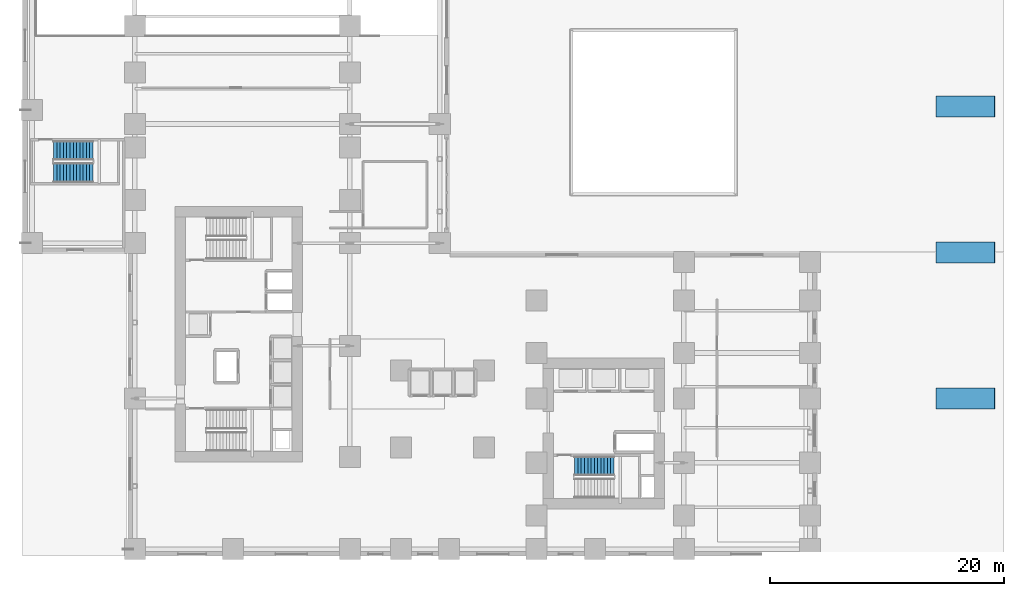
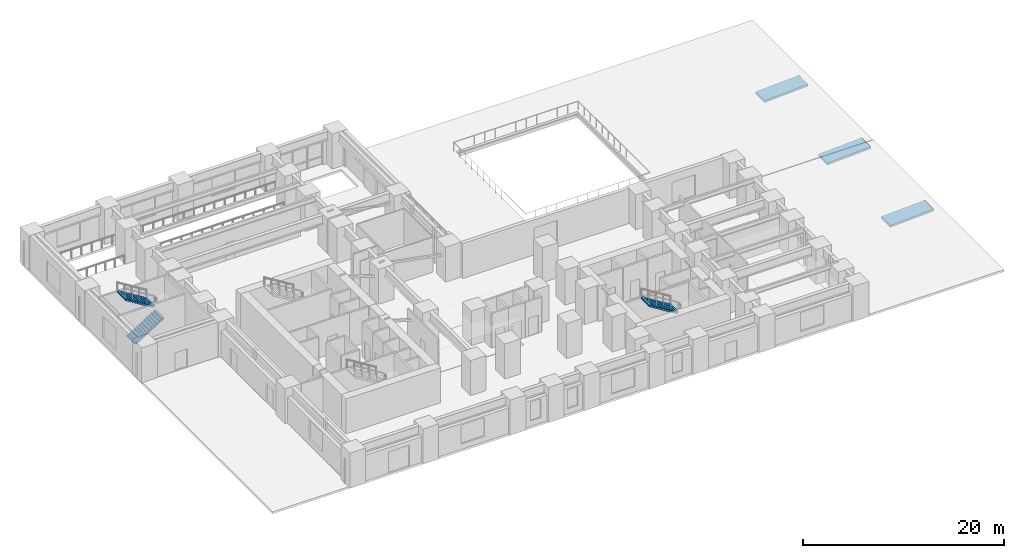
# One storey, part 17 of 23: 3 ramp flights, 3 stair flights, 5 elements without a shape of their own.
"""IFC4 building model written with IfcOpenShell, lengths in metres."""

from ifc_helpers import new_model, si_unit, direction, frame, origin, place, context, subcontext, project, spatial, polyline, outline, extrude, source, transform, mapped, material, layer, layer_set, type_object, element, aggregate, save


model = new_model("IFC4")

# Units and contexts
model_context = context("Model", 3, precision=1e-05, world=origin(), true_north=direction((0.0, 1.0)))
body_context = subcontext(model_context, "Body", "Model", "MODEL_VIEW")
ifc_project = project(units=[si_unit("LENGTHUNIT", "METRE"), si_unit("AREAUNIT", "SQUARE_METRE"), si_unit("VOLUMEUNIT", "CUBIC_METRE"), si_unit("PLANEANGLEUNIT", "RADIAN"), si_unit("MASSUNIT", "GRAM", prefix="KILO")], contexts=[model_context])

# Site, building, storey
site_placement = place(None, origin())
site = spatial("IfcSite", under=ifc_project, at=site_placement, CompositionType="ELEMENT")
building_placement = place(site_placement, origin())
building = spatial("IfcBuilding", under=site, at=building_placement, Name="Kharzan Plaza Tower", CompositionType="ELEMENT")
storey_placement = place(building_placement, origin())
storey = spatial("IfcBuildingStorey", under=building, at=storey_placement, Name="L00", CompositionType="ELEMENT", Elevation=0.0)

# Stair, stair flight
ifc_material = material(Name="Concrete C40/50", Category="concrete")
stair_type_1 = type_object("IfcStairType", Name="STR-ST-3", PredefinedType="HALF_TURN_STAIR", material=ifc_material)
stair_1_placement = place(storey_placement, origin())
stair_1 = element("IfcStair", 1, at=stair_1_placement, inside=storey, type_object=stair_type_1, Name="L00 Protected Exit Stair ST-3", PredefinedType="HALF_TURN_STAIR")
stair_flight_type = type_object("IfcStairFlightType", Name="SFL-1650-R173", PredefinedType="STRAIGHT", material=ifc_material)
shared_shape = source(origin(), body_context, "Body", "SweptSolid", [
    extrude(outline(polyline([(-0.0029296875, -0.011962890625), (-0.0029296875, 0.0), (0.0, 0.0), (0.0, 0.173095703125), (0.280029296875, 0.173095703125), (0.280029296875, 0.34619140625), (0.56005859375, 0.34619140625), (0.56005859375, 0.519287109375), (0.840087890625, 0.519287109375), (0.840087890625, 0.6923828125), (1.1201171875, 0.6923828125), (1.1201171875, 0.865478515625), (1.400146484375, 0.865478515625), (1.400146484375, 1.03857421875), (1.68017578125, 1.03857421875), (1.68017578125, 1.211669921875), (1.960205078125, 1.211669921875), (1.960205078125, 1.384765625), (2.240234375, 1.384765625), (2.240234375, 1.557861328125), (2.520263671875, 1.557861328125), (2.520263671875, 1.73095703125), (2.80029296875, 1.73095703125), (2.80029296875, 1.904052734375), (3.080322265625, 1.904052734375), (3.080322265625, 2.0771484375), (3.3603515625, 2.0771484375), (3.3603515625, 2.250244140625), (3.3603515625, 1.90087890625), (0.28515625, 0.0), (0.28515625, -0.011962890625), (-0.0029296875, -0.011962890625)])), frame((0.0, 0.824951171875, 0.0), z_axis=(0.0, -1.0, 0.0), x_axis=(1.0, 0.0, 0.0)), (0.0, 0.0, 1.0), 1.64990234375),
])
stair_flight_1_placement = place(storey_placement, frame((41.610107421875, 7.72509765625, 2.25), z_axis=(0.0, 0.0, 1.0), x_axis=(-1.0, 0.0, 0.0)))
stair_flight_1 = element("IfcStairFlight", 2, at=stair_flight_1_placement, type_object=stair_flight_type, Name="ST-3 flight 2", NumberOfRisers=13, NumberOfTreads=12, PredefinedType="STRAIGHT", RiserHeight=0.173076923, TreadLength=0.28, context=body_context, shape_type="MappedRepresentation", body=[
    mapped(shared_shape, transform((0.0, 0.0, 0.0), x_axis=(1.0, 0.0, 0.0), y_axis=(0.0, 1.0, 0.0), z_axis=(0.0, 0.0, 1.0))),
])
aggregate(stair_1, [stair_flight_1])

# Stair, stair flights
stair_type_2 = type_object("IfcStairType", Name="STR-ST-4", PredefinedType="HALF_TURN_STAIR", material=ifc_material)
stair_2_placement = place(storey_placement, origin())
stair_2 = element("IfcStair", 3, at=stair_2_placement, inside=storey, type_object=stair_type_2, Name="L00 Podium Exit Stair ST-4", PredefinedType="HALF_TURN_STAIR")
stair_flight_2_placement = place(storey_placement, frame((-6.35009765625, 32.824951171875, 0.0), z_axis=(0.0, 0.0, 1.0), x_axis=(1.0, 0.0, 0.0)))
stair_flight_2 = element("IfcStairFlight", 4, at=stair_flight_2_placement, type_object=stair_flight_type, Name="ST-4 flight 1", NumberOfRisers=13, NumberOfTreads=12, PredefinedType="STRAIGHT", RiserHeight=0.173076923, TreadLength=0.28, context=body_context, shape_type="MappedRepresentation", body=[
    mapped(shared_shape, transform((0.0, 0.0, 0.0), x_axis=(1.0, 0.0, 0.0), y_axis=(0.0, 1.0, 0.0), z_axis=(0.0, 0.0, 1.0))),
])
stair_flight_3_placement = place(storey_placement, frame((-2.989990234375, 34.72509765625, 2.25), z_axis=(0.0, 0.0, 1.0), x_axis=(-1.0, 0.0, 0.0)))
stair_flight_3 = element("IfcStairFlight", 5, at=stair_flight_3_placement, type_object=stair_flight_type, Name="ST-4 flight 2", NumberOfRisers=13, NumberOfTreads=12, PredefinedType="STRAIGHT", RiserHeight=0.173076923, TreadLength=0.28, context=body_context, shape_type="MappedRepresentation", body=[
    mapped(shared_shape, transform((0.0, 0.0, 0.0), x_axis=(1.0, 0.0, 0.0), y_axis=(0.0, 1.0, 0.0), z_axis=(0.0, 0.0, 1.0))),
])
aggregate(stair_2, [stair_flight_2, stair_flight_3])

# Ramp, ramp flight
ramp_type = type_object("IfcRampType", Name="RMP-PED-1", PredefinedType="STRAIGHT_RUN_RAMP", material=ifc_material)
ramp_1_placement = place(storey_placement, origin())
ramp_1 = element("IfcRamp", 6, at=ramp_1_placement, inside=storey, type_object=ramp_type, Name="L00 Accessible Pedestrian Plaza Ramp 1", PredefinedType="STRAIGHT_RUN_RAMP")
ifc_layer = layer(ifc_material, 0.25)
ifc_layer_set = layer_set([ifc_layer], Name="Concrete C40/50")
ramp_flight_type = type_object("IfcRampFlightType", Name="RFL-PED-250", PredefinedType="STRAIGHT", material=ifc_layer_set)
ramp_flight_1_placement = place(storey_placement, frame((69.199951171875, 12.60009765625, -0.25), z_axis=(-0.049937616944, 0.0, 0.998752338878), x_axis=(0.998752338878, 0.0, 0.049937616944)))
ramp_flight_1 = element("IfcRampFlight", 7, at=ramp_flight_1_placement, type_object=ramp_flight_type, Name="L00 Accessible Pedestrian Plaza Ramp Flight 1", PredefinedType="STRAIGHT", context=body_context, shape_type="SweptSolid", body=[
    extrude(outline(polyline([(0.0, 0.0), (5.006246098625197, 0.0), (5.006246098625197, 1.7998046875), (0.0, 1.7998046875), (0.0, 0.0)])), origin(), (0.0, 0.0, -1.0), 0.25),
])
aggregate(ramp_1, [ramp_flight_1])

ramp_2_placement = place(storey_placement, origin())
ramp_2 = element("IfcRamp", 8, at=ramp_2_placement, inside=storey, type_object=ramp_type, Name="L00 Accessible Pedestrian Plaza Ramp 2", PredefinedType="STRAIGHT_RUN_RAMP")
ramp_flight_2_placement = place(storey_placement, frame((69.199951171875, 25.10009765625, -0.25), z_axis=(-0.049937616944, 0.0, 0.998752338878), x_axis=(0.998752338878, 0.0, 0.049937616944)))
ramp_flight_2 = element("IfcRampFlight", 9, at=ramp_flight_2_placement, type_object=ramp_flight_type, Name="L00 Accessible Pedestrian Plaza Ramp Flight 2", PredefinedType="STRAIGHT", context=body_context, shape_type="SweptSolid", body=[
    extrude(outline(polyline([(0.0, 0.0), (5.006246098625197, 0.0), (5.006246098625197, 1.7998046875), (0.0, 1.7998046875), (0.0, 0.0)])), origin(), (0.0, 0.0, -1.0), 0.25),
])
aggregate(ramp_2, [ramp_flight_2])

ramp_3_placement = place(storey_placement, origin())
ramp_3 = element("IfcRamp", 10, at=ramp_3_placement, inside=storey, type_object=ramp_type, Name="L00 Accessible Pedestrian Plaza Ramp 3", PredefinedType="STRAIGHT_RUN_RAMP")
ramp_flight_3_placement = place(storey_placement, frame((69.199951171875, 37.60009765625, -0.25), z_axis=(-0.049937616944, 0.0, 0.998752338878), x_axis=(0.998752338878, 0.0, 0.049937616944)))
ramp_flight_3 = element("IfcRampFlight", 11, at=ramp_flight_3_placement, type_object=ramp_flight_type, Name="L00 Accessible Pedestrian Plaza Ramp Flight 3", PredefinedType="STRAIGHT", context=body_context, shape_type="SweptSolid", body=[
    extrude(outline(polyline([(0.0, 0.0), (5.006246098625197, 0.0), (5.006246098625197, 1.7998046875), (0.0, 1.7998046875), (0.0, 0.0)])), origin(), (0.0, 0.0, -1.0), 0.25),
])
aggregate(ramp_3, [ramp_flight_3])

save(model, "model.ifc")
